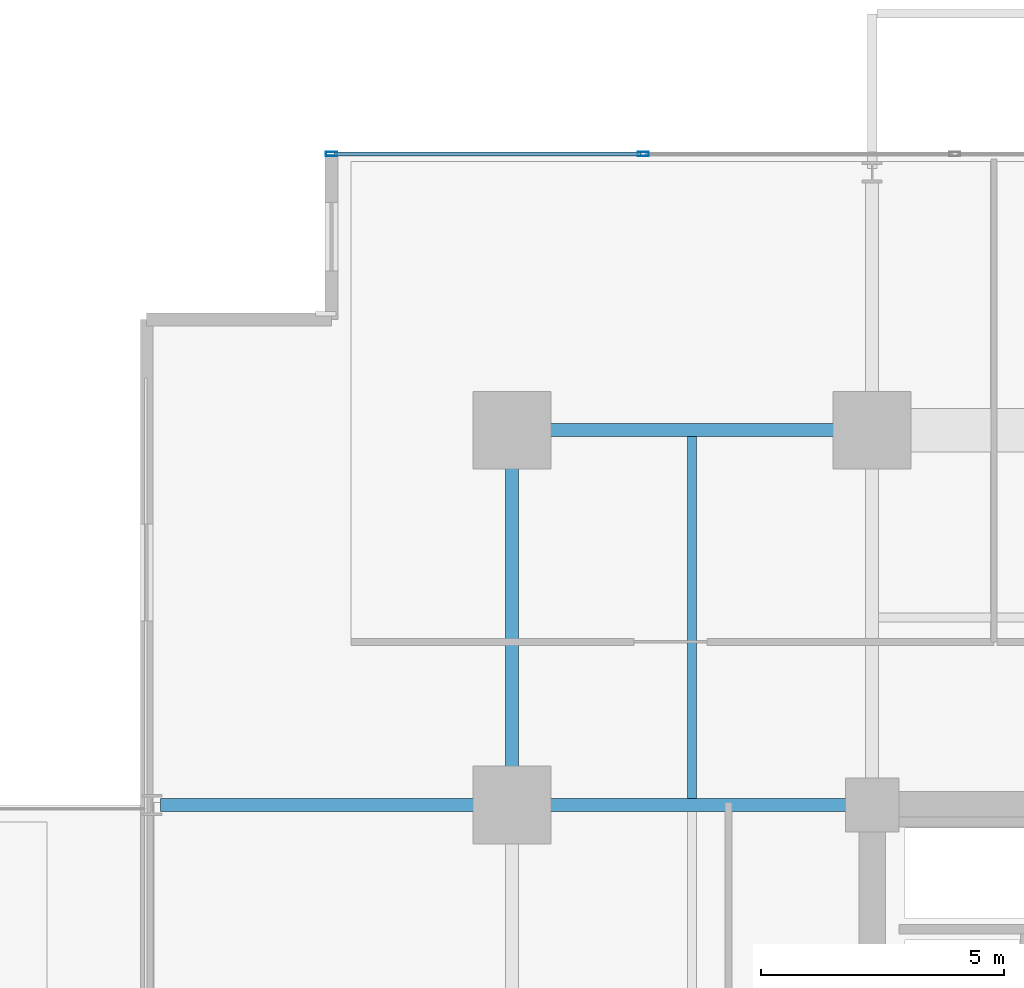
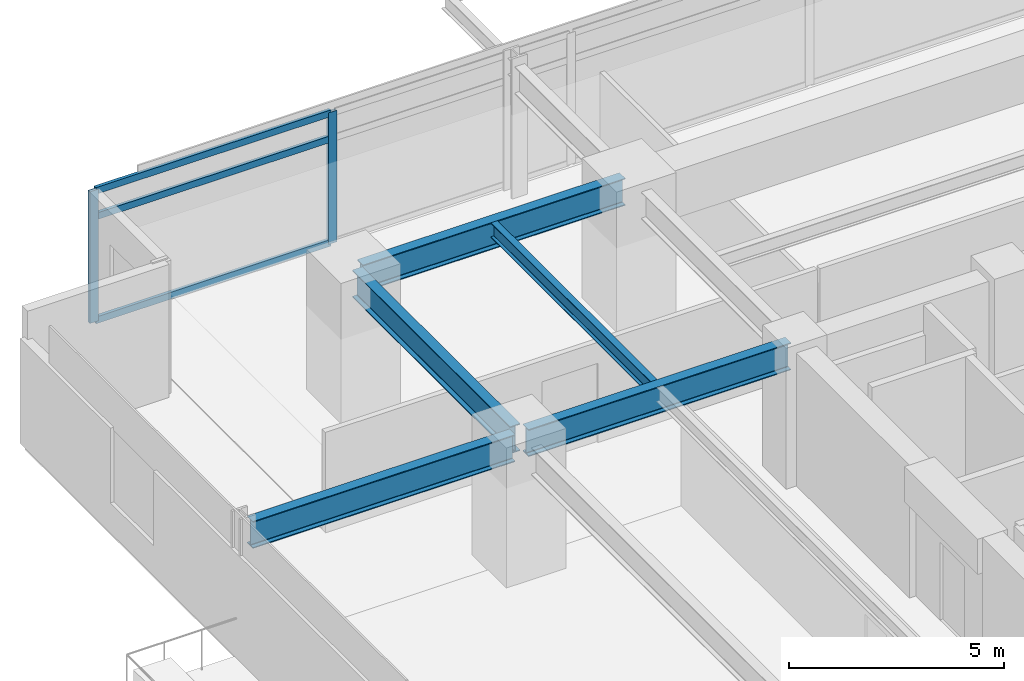
# One storey, part 5 of 24: 5 beams, 5 members, 1 element without a shape of its own.
"""IFC4 building model written with IfcOpenShell, lengths in metres."""

from ifc_helpers import new_model, si_unit, direction, frame, origin, origin_2d, place, context, subcontext, project, spatial, hollow_rectangle, i_section, extrude, material, material_profile, profile_set, type_object, element, aggregate, save


model = new_model("IFC4")

# Units and contexts
model_context = context("Model", 3, precision=1e-05, world=origin(), true_north=direction((0.0, 1.0)))
body_context = subcontext(model_context, "Body", "Model", "MODEL_VIEW")
ifc_project = project(units=[si_unit("LENGTHUNIT", "METRE"), si_unit("AREAUNIT", "SQUARE_METRE"), si_unit("VOLUMEUNIT", "CUBIC_METRE"), si_unit("PLANEANGLEUNIT", "RADIAN"), si_unit("MASSUNIT", "GRAM", prefix="KILO")], contexts=[model_context])

# Site, building, storey
site_placement = place(None, origin())
site = spatial("IfcSite", under=ifc_project, at=site_placement, CompositionType="ELEMENT")
building_placement = place(site_placement, origin())
building = spatial("IfcBuilding", under=site, at=building_placement, Name="Kovane Verandah Tower", CompositionType="ELEMENT")
storey_placement = place(building_placement, frame((0.0, 0.0, 144.39990234375)))
storey = spatial("IfcBuildingStorey", under=building, at=storey_placement, Name="L33", CompositionType="ELEMENT", Elevation=144.39990234375)

# Beams
ifc_material_1 = material(Name="Steel S355", Category="steel")
ifc_material_profile_1 = material_profile(ifc_material_1, i_section(OverallWidth=0.26806640625, OverallDepth=0.769775390625, WebThickness=0.015625, FlangeThickness=0.025390625, FilletRadius=0.0166015625, at=origin_2d()), Name="UB762x267x197")
ifc_profile_set_1 = profile_set([ifc_material_profile_1], Name="Steel S355")
beam_type_1 = type_object("IfcBeamType", Name="BM-UB762x197", PredefinedType="BEAM", material=ifc_profile_set_1)
beam_1_placement = place(storey_placement, frame((21.780029296875, 44.199951171875, 3.39013671875), z_axis=(1.0, 0.0, 0.0), x_axis=(0.0, 1.0, 0.0)))
element("IfcBeam", 1, at=beam_1_placement, inside=storey, type_object=beam_type_1, Name="L33 Primary Tower Girder G-RN1", PredefinedType="BEAM", context=body_context, shape_type="SweptSolid", body=[
    extrude(i_section(OverallWidth=0.26806640625, OverallDepth=0.769775390625, WebThickness=0.015625, FlangeThickness=0.025390625, FilletRadius=0.0166015625, at=origin_2d()), origin(), (0.0, 0.0, 1.0), 7.0400390625),
])
beam_2_placement = place(storey_placement, frame((21.60009765625, 36.679931640625, 3.39013671875), z_axis=(0.0, 1.0, 0.0), x_axis=(-1.0, 0.0, 0.0)))
element("IfcBeam", 2, at=beam_2_placement, inside=storey, type_object=beam_type_1, Name="L33 Primary Tower Girder G-RW3", PredefinedType="BEAM", context=body_context, shape_type="SweptSolid", body=[
    extrude(i_section(OverallWidth=0.26806640625, OverallDepth=0.769775390625, WebThickness=0.015625, FlangeThickness=0.025390625, FilletRadius=0.0166015625, at=origin_2d()), origin(), (0.0, 0.0, 1.0), 7.340087890625),
])
for number, where, z_axis, x_axis, name in (
    (3, (28.820068359375, 36.5, 3.39013671875), (-1.0, 0.0, 0.0), (0.0, -1.0, 0.0), "L33 Primary Tower Girder G-W2"),
    (4, (21.419921875, 36.5, 3.375244140625), (-1.0, 0.0, 0.0), (0.0, -1.0, 0.0), "L33 Primary Tower Girder G-VW2"),
):
    element("IfcBeam", number, at=place(storey_placement, frame(where, z_axis=z_axis, x_axis=x_axis)), inside=storey, type_object=beam_type_1, Name=name, PredefinedType="BEAM", context=body_context, shape_type="SweptSolid", body=[
        extrude(i_section(OverallWidth=0.26806640625, OverallDepth=0.769775390625, WebThickness=0.015625, FlangeThickness=0.025390625, FilletRadius=0.0166015625, at=origin_2d()), origin(), (0.0, 0.0, 1.0), 7.0400390625),
    ])

# Curtain wall, members
ifc_material_2 = material(Name="Champagne Anodised Aluminium Frame with Low-E Clear Laminated Glass", Category="aluminium")
curtain_wall_type = type_object("IfcCurtainWallType", Name="CW-SYS-03-MID", PredefinedType="NOTDEFINED", material=ifc_material_2)
curtain_wall_placement = place(storey_placement, origin())
curtain_wall = element("IfcCurtainWall", 5, at=curtain_wall_placement, inside=storey, type_object=curtain_wall_type, Name="L33 N Unitised Curtain Wall", PredefinedType="NOTDEFINED")
ifc_material_3 = material(Name="Champagne Anodised Aluminium 6063-T6", Category="aluminium")
ifc_material_profile_2 = material_profile(ifc_material_3, hollow_rectangle(XDim=0.0849609375, YDim=0.22998046875, WallThickness=0.00390625, at=origin_2d()), Name="AL85x230x4")
ifc_profile_set_2 = profile_set([ifc_material_profile_2], Name="Champagne Anodised Aluminium 6063-T6")
member_type_1 = type_object("IfcMemberType", Name="CW-MUL-85x230", PredefinedType="MULLION", material=ifc_profile_set_2)
member_1_placement = place(storey_placement, frame((24.2958984375, 49.875, 0.02001953125), z_axis=(0.0, 0.0, 1.0), x_axis=(0.0, 1.0, 0.0)))
member_1 = element("IfcMember", 6, at=member_1_placement, type_object=member_type_1, Name="L33 N Unitised Curtain Wall Mullion 7", PredefinedType="MULLION", context=body_context, shape_type="SweptSolid", body=[
    extrude(hollow_rectangle(XDim=0.0849609375, YDim=0.22998046875, WallThickness=0.00390625, at=origin_2d()), origin(), (0.0, 0.0, 1.0), 3.735107421875),
])
member_2_placement = place(storey_placement, frame((17.892822265625, 49.875, 0.02001953125), z_axis=(0.0, 0.0, 1.0), x_axis=(0.0, 1.0, 0.0)))
member_2 = element("IfcMember", 7, at=member_2_placement, type_object=member_type_1, Name="L33 N Unitised Curtain Wall Mullion 8", PredefinedType="MULLION", context=body_context, shape_type="SweptSolid", body=[
    extrude(hollow_rectangle(XDim=0.0849609375, YDim=0.22998046875, WallThickness=0.00390625, at=origin_2d()), origin(), (0.0, 0.0, 1.0), 3.735107421875),
])
ifc_material_profile_3 = material_profile(ifc_material_3, hollow_rectangle(XDim=0.0849609375, YDim=0.18994140625, WallThickness=0.00390625, at=origin_2d()), Name="AL85x190x4")
ifc_profile_set_3 = profile_set([ifc_material_profile_3], Name="Champagne Anodised Aluminium 6063-T6")
member_type_2 = type_object("IfcMemberType", Name="CW-TRN-85x190", PredefinedType="USERDEFINED", material=ifc_profile_set_3)
member_3_placement = place(storey_placement, frame((24.245849609375, 49.875, 0.050048828125), z_axis=(-1.0, 0.0, 0.0), x_axis=(0.0, -1.0, 0.0)))
member_3 = element("IfcMember", 8, at=member_3_placement, type_object=member_type_2, Name="L33 N Unitised Curtain Wall Transom TB Bay 7", ObjectType="TRANSOM", PredefinedType="USERDEFINED", context=body_context, shape_type="SweptSolid", body=[
    extrude(hollow_rectangle(XDim=0.0849609375, YDim=0.18994140625, WallThickness=0.00390625, at=origin_2d()), origin(), (0.0, 0.0, 1.0), 6.302978515625),
])
member_4_placement = place(storey_placement, frame((24.245849609375, 49.875, 2.9951171875), z_axis=(-1.0, 0.0, 0.0), x_axis=(0.0, -1.0, 0.0)))
member_4 = element("IfcMember", 9, at=member_4_placement, type_object=member_type_2, Name="L33 N Unitised Curtain Wall Transom TM Bay 7", ObjectType="TRANSOM", PredefinedType="USERDEFINED", context=body_context, shape_type="SweptSolid", body=[
    extrude(hollow_rectangle(XDim=0.0849609375, YDim=0.18994140625, WallThickness=0.00390625, at=origin_2d()), origin(), (0.0, 0.0, 1.0), 6.302978515625),
])
member_5_placement = place(storey_placement, frame((24.245849609375, 49.875, 3.72509765625), z_axis=(-1.0, 0.0, 0.0), x_axis=(0.0, -1.0, 0.0)))
member_5 = element("IfcMember", 10, at=member_5_placement, type_object=member_type_2, Name="L33 N Unitised Curtain Wall Transom TT Bay 7", ObjectType="TRANSOM", PredefinedType="USERDEFINED", context=body_context, shape_type="SweptSolid", body=[
    extrude(hollow_rectangle(XDim=0.0849609375, YDim=0.18994140625, WallThickness=0.00390625, at=origin_2d()), origin(), (0.0, 0.0, 1.0), 6.302978515625),
])
aggregate(curtain_wall, [member_1, member_2, member_3, member_4, member_5])

# Beam
ifc_material_profile_4 = material_profile(ifc_material_1, i_section(OverallWidth=0.179443359375, OverallDepth=0.412841796875, WebThickness=0.009521484375, FlangeThickness=0.01611328125, FilletRadius=0.01025390625, at=origin_2d()), Name="UB406x178x74")
ifc_profile_set_4 = profile_set([ifc_material_profile_4], Name="Steel S355")
beam_type_2 = type_object("IfcBeamType", Name="JST-UB406x74", PredefinedType="JOIST", material=ifc_profile_set_4)
beam_3_placement = place(storey_placement, frame((25.300048828125, 36.632080078125, 3.568603515625), z_axis=(0.0, 1.0, 0.0), x_axis=(-1.0, 0.0, 0.0)))
element("IfcBeam", 11, at=beam_3_placement, inside=storey, type_object=beam_type_2, Name="L33 Secondary Composite Joist J-NW1", PredefinedType="JOIST", context=body_context, shape_type="SweptSolid", body=[
    extrude(i_section(OverallWidth=0.179443359375, OverallDepth=0.412841796875, WebThickness=0.009521484375, FlangeThickness=0.01611328125, FilletRadius=0.01025390625, at=origin_2d()), origin(), (0.0, 0.0, 1.0), 7.43603515625),
])

save(model, "model.ifc")
